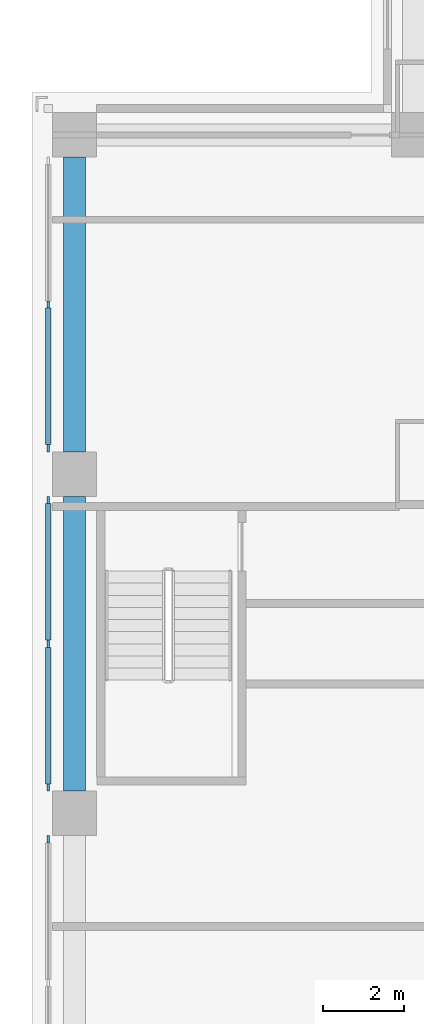
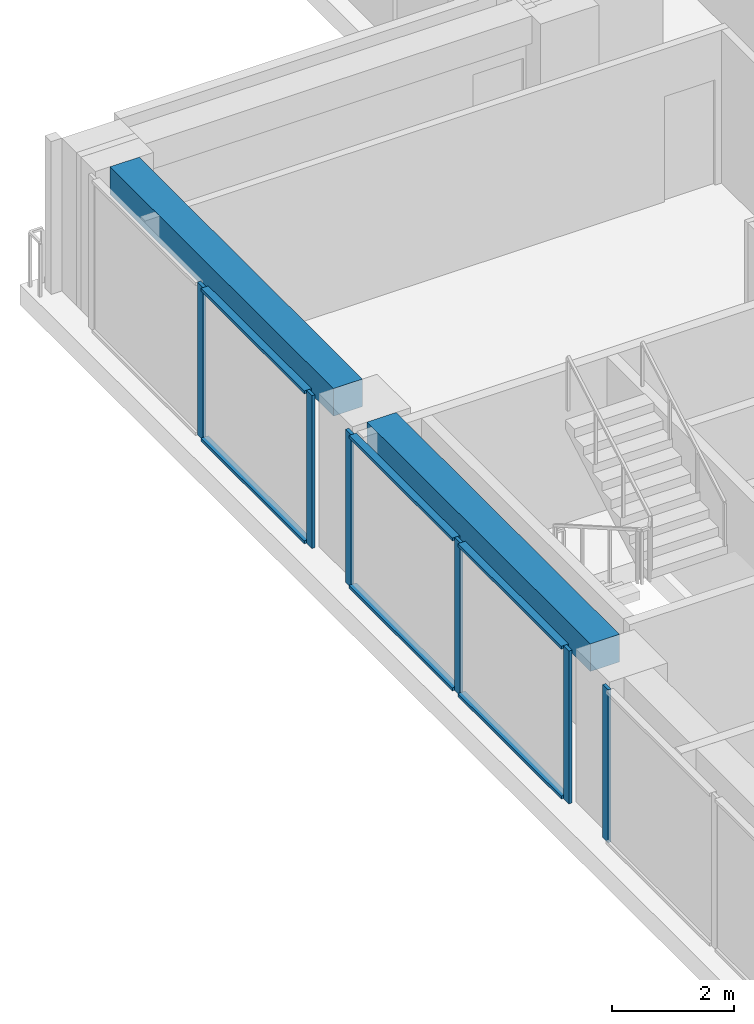
# One storey, part 4 of 16: 12 members, 2 beams, 3 elements without a shape of their own.
"""IFC4 building model written with IfcOpenShell, lengths in metres."""

from ifc_helpers import new_model, si_unit, direction, frame, origin, origin_2d, place, context, subcontext, project, spatial, rectangle, extrude, material, material_profile, profile_set, type_object, element, aggregate, save


model = new_model("IFC4")

# Units and contexts
model_context = context("Model", 3, precision=1e-05, world=origin(), true_north=direction((0.0, 1.0)))
body_context = subcontext(model_context, "Body", "Model", "MODEL_VIEW")
ifc_project = project(units=[si_unit("LENGTHUNIT", "METRE"), si_unit("AREAUNIT", "SQUARE_METRE"), si_unit("VOLUMEUNIT", "CUBIC_METRE"), si_unit("PLANEANGLEUNIT", "RADIAN"), si_unit("MASSUNIT", "GRAM", prefix="KILO")], contexts=[model_context])

# Site, building, storey
site_placement = place(None, origin())
site = spatial("IfcSite", under=ifc_project, at=site_placement, CompositionType="ELEMENT")
building_placement = place(site_placement, origin())
building = spatial("IfcBuilding", under=site, at=building_placement, Name="Vermilion Ogive Tower", CompositionType="ELEMENT")
storey_placement = place(building_placement, frame((0.0, 0.0, 140.0)))
storey = spatial("IfcBuildingStorey", under=building, at=storey_placement, Name="L35", CompositionType="ELEMENT", Elevation=140.0)

# Curtain wall, members
ifc_material_1 = material(Name="Low-iron laminated glazing in aluminium frame", Category="aluminium")
curtain_wall_type = type_object("IfcCurtainWallType", Name="Curtain wall CW7", PredefinedType="NOTDEFINED", material=ifc_material_1)
curtain_wall_1_placement = place(storey_placement, origin())
curtain_wall_1 = element("IfcCurtainWall", 1, at=curtain_wall_1_placement, inside=storey, type_object=curtain_wall_type, Name="Glazed skin W1", PredefinedType="NOTDEFINED")
ifc_material_2 = material(Name="Aluminium mullion", Category="aluminium")
ifc_material_profile_1 = material_profile(ifc_material_2, rectangle(XDim=0.06005859375, YDim=0.179931640625, at=origin_2d()), Name="AL 60x180")
ifc_profile_set_1 = profile_set([ifc_material_profile_1], Name="Aluminium mullion")
member_type_1 = type_object("IfcMemberType", Name="CW7 mullion 60x180", PredefinedType="MULLION", material=ifc_profile_set_1)
member_1_placement = place(storey_placement, frame((-21.64990234375, 8.39990234375, 0.0), z_axis=(0.0, 0.0, 1.0), x_axis=(1.0, 0.0, 0.0)))
member_1 = element("IfcMember", 2, at=member_1_placement, type_object=member_type_1, Name="CW7-W1 mullion 2", PredefinedType="MULLION", context=body_context, shape_type="SweptSolid", body=[
    extrude(rectangle(XDim=0.06005859375, YDim=0.179931640625, at=origin_2d()), origin(), (0.0, 0.0, 1.0), 3.050048828125),
])
member_2_placement = place(storey_placement, frame((-21.64990234375, 4.840087890625, 0.0), z_axis=(0.0, 0.0, 1.0), x_axis=(1.0, 0.0, 0.0)))
member_2 = element("IfcMember", 3, at=member_2_placement, type_object=member_type_1, Name="CW7-W1 mullion 3", PredefinedType="MULLION", context=body_context, shape_type="SweptSolid", body=[
    extrude(rectangle(XDim=0.06005859375, YDim=0.179931640625, at=origin_2d()), origin(), (0.0, 0.0, 1.0), 3.050048828125),
])

curtain_wall_2_placement = place(storey_placement, origin())
curtain_wall_2 = element("IfcCurtainWall", 4, at=curtain_wall_2_placement, inside=storey, type_object=curtain_wall_type, Name="Glazed skin W2", PredefinedType="NOTDEFINED")
member_3_placement = place(storey_placement, frame((-21.64990234375, 3.56005859375, 0.0), z_axis=(0.0, 0.0, 1.0), x_axis=(1.0, 0.0, 0.0)))
member_3 = element("IfcMember", 5, at=member_3_placement, type_object=member_type_1, Name="CW7-W2 mullion 1", PredefinedType="MULLION", context=body_context, shape_type="SweptSolid", body=[
    extrude(rectangle(XDim=0.06005859375, YDim=0.179931640625, at=origin_2d()), origin(), (0.0, 0.0, 1.0), 3.050048828125),
])
member_4_placement = place(storey_placement, frame((-21.64990234375, 0.0, 0.0), z_axis=(0.0, 0.0, 1.0), x_axis=(1.0, 0.0, 0.0)))
member_4 = element("IfcMember", 6, at=member_4_placement, type_object=member_type_1, Name="CW7-W2 mullion 2", PredefinedType="MULLION", context=body_context, shape_type="SweptSolid", body=[
    extrude(rectangle(XDim=0.06005859375, YDim=0.179931640625, at=origin_2d()), origin(), (0.0, 0.0, 1.0), 3.050048828125),
])
member_5_placement = place(storey_placement, frame((-21.64990234375, -3.56005859375, 0.0), z_axis=(0.0, 0.0, 1.0), x_axis=(1.0, 0.0, 0.0)))
member_5 = element("IfcMember", 7, at=member_5_placement, type_object=member_type_1, Name="CW7-W2 mullion 3", PredefinedType="MULLION", context=body_context, shape_type="SweptSolid", body=[
    extrude(rectangle(XDim=0.06005859375, YDim=0.179931640625, at=origin_2d()), origin(), (0.0, 0.0, 1.0), 3.050048828125),
])

# Curtain wall, member
curtain_wall_3_placement = place(storey_placement, origin())
curtain_wall_3 = element("IfcCurtainWall", 8, at=curtain_wall_3_placement, inside=storey, type_object=curtain_wall_type, Name="Glazed skin W3", PredefinedType="NOTDEFINED")
member_6_placement = place(storey_placement, frame((-21.64990234375, -4.840087890625, 0.0), z_axis=(0.0, 0.0, 1.0), x_axis=(1.0, 0.0, 0.0)))
member_6 = element("IfcMember", 9, at=member_6_placement, type_object=member_type_1, Name="CW7-W3 mullion 1", PredefinedType="MULLION", context=body_context, shape_type="SweptSolid", body=[
    extrude(rectangle(XDim=0.06005859375, YDim=0.179931640625, at=origin_2d()), origin(), (0.0, 0.0, 1.0), 3.050048828125),
])
aggregate(curtain_wall_3, [member_6])

# Member
ifc_material_3 = material(Name="Aluminium transom", Category="aluminium")
ifc_material_profile_2 = material_profile(ifc_material_3, rectangle(XDim=0.139892578125, YDim=0.06005859375, at=origin_2d()), Name="AL 60x140")
ifc_profile_set_2 = profile_set([ifc_material_profile_2], Name="Aluminium transom")
member_type_2 = type_object("IfcMemberType", Name="CW7 transom 60x140", PredefinedType="USERDEFINED", material=ifc_profile_set_2)
member_7_placement = place(storey_placement, frame((-21.64990234375, 8.31005859375, 0.030029296875), z_axis=(0.0, -1.0, 0.0), x_axis=(1.0, 0.0, 0.0)))
member_7 = element("IfcMember", 10, at=member_7_placement, type_object=member_type_2, Name="CW7-W1 transom 2.1", ObjectType="TRANSOM", PredefinedType="USERDEFINED", context=body_context, shape_type="SweptSolid", body=[
    extrude(rectangle(XDim=0.139892578125, YDim=0.06005859375, at=origin_2d()), origin(), (0.0, 0.0, 1.0), 3.380126953125),
])

member_8_placement = place(storey_placement, frame((-21.64990234375, 8.31005859375, 3.02001953125), z_axis=(0.0, -1.0, 0.0), x_axis=(1.0, 0.0, 0.0)))
member_8 = element("IfcMember", 11, at=member_8_placement, type_object=member_type_2, Name="CW7-W1 transom 2.2", ObjectType="TRANSOM", PredefinedType="USERDEFINED", context=body_context, shape_type="SweptSolid", body=[
    extrude(rectangle(XDim=0.139892578125, YDim=0.06005859375, at=origin_2d()), origin(), (0.0, 0.0, 1.0), 3.380126953125),
])

aggregate(curtain_wall_1, [member_1, member_2, member_7, member_8])

member_9_placement = place(storey_placement, frame((-21.64990234375, 3.469970703125, 0.030029296875), z_axis=(0.0, -1.0, 0.0), x_axis=(1.0, 0.0, 0.0)))
member_9 = element("IfcMember", 12, at=member_9_placement, type_object=member_type_2, Name="CW7-W2 transom 1.1", ObjectType="TRANSOM", PredefinedType="USERDEFINED", context=body_context, shape_type="SweptSolid", body=[
    extrude(rectangle(XDim=0.139892578125, YDim=0.06005859375, at=origin_2d()), origin(), (0.0, 0.0, 1.0), 3.3798828125),
])

member_10_placement = place(storey_placement, frame((-21.64990234375, 3.469970703125, 3.02001953125), z_axis=(0.0, -1.0, 0.0), x_axis=(1.0, 0.0, 0.0)))
member_10 = element("IfcMember", 13, at=member_10_placement, type_object=member_type_2, Name="CW7-W2 transom 1.2", ObjectType="TRANSOM", PredefinedType="USERDEFINED", context=body_context, shape_type="SweptSolid", body=[
    extrude(rectangle(XDim=0.139892578125, YDim=0.06005859375, at=origin_2d()), origin(), (0.0, 0.0, 1.0), 3.3798828125),
])

member_11_placement = place(storey_placement, frame((-21.64990234375, -0.090087890625, 0.030029296875), z_axis=(0.0, -1.0, 0.0), x_axis=(1.0, 0.0, 0.0)))
member_11 = element("IfcMember", 14, at=member_11_placement, type_object=member_type_2, Name="CW7-W2 transom 2.1", ObjectType="TRANSOM", PredefinedType="USERDEFINED", context=body_context, shape_type="SweptSolid", body=[
    extrude(rectangle(XDim=0.139892578125, YDim=0.06005859375, at=origin_2d()), origin(), (0.0, 0.0, 1.0), 3.3798828125),
])

member_12_placement = place(storey_placement, frame((-21.64990234375, -0.090087890625, 3.02001953125), z_axis=(0.0, -1.0, 0.0), x_axis=(1.0, 0.0, 0.0)))
member_12 = element("IfcMember", 15, at=member_12_placement, type_object=member_type_2, Name="CW7-W2 transom 2.2", ObjectType="TRANSOM", PredefinedType="USERDEFINED", context=body_context, shape_type="SweptSolid", body=[
    extrude(rectangle(XDim=0.139892578125, YDim=0.06005859375, at=origin_2d()), origin(), (0.0, 0.0, 1.0), 3.3798828125),
])

aggregate(curtain_wall_2, [member_3, member_4, member_5, member_9, member_10, member_11, member_12])

# Beams
ifc_material_4 = material(Name="Concrete B45", Category="concrete")
ifc_material_profile_3 = material_profile(ifc_material_4, rectangle(XDim=0.550048828125, YDim=0.550048828125, at=origin_2d()), Name="550 x 550")
ifc_profile_set_3 = profile_set([ifc_material_profile_3], Name="Concrete B45")
beam_type = type_object("IfcBeamType", Name="Edge beam 550 x 550 B45", PredefinedType="BEAM", material=ifc_profile_set_3)
beam_1_placement = place(storey_placement, frame((-21.0, 12.050048828125, 2.77490234375), z_axis=(0.0, -1.0, 0.0), x_axis=(1.0, 0.0, 0.0)))
element("IfcBeam", 16, at=beam_1_placement, inside=storey, type_object=beam_type, Name="L35-EB-13", PredefinedType="BEAM", context=body_context, shape_type="SweptSolid", body=[
    extrude(rectangle(XDim=0.550048828125, YDim=0.550048828125, at=origin_2d()), origin(), (0.0, 0.0, 1.0), 7.300048828125),
])
beam_2_placement = place(storey_placement, frame((-21.0, 3.64990234375, 2.77490234375), z_axis=(0.0, -1.0, 0.0), x_axis=(1.0, 0.0, 0.0)))
element("IfcBeam", 17, at=beam_2_placement, inside=storey, type_object=beam_type, Name="L35-EB-14", PredefinedType="BEAM", context=body_context, shape_type="SweptSolid", body=[
    extrude(rectangle(XDim=0.550048828125, YDim=0.550048828125, at=origin_2d()), origin(), (0.0, 0.0, 1.0), 7.2998046875),
])

save(model, "model.ifc")
